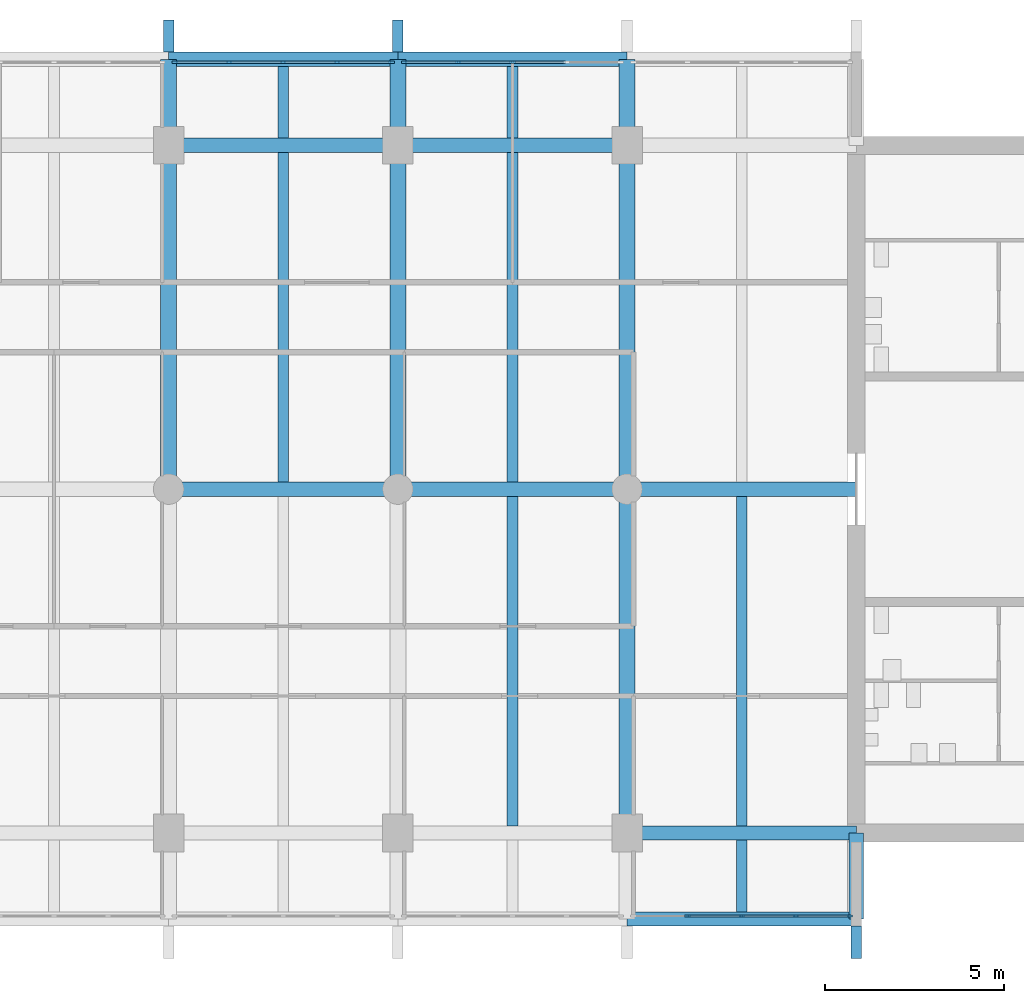
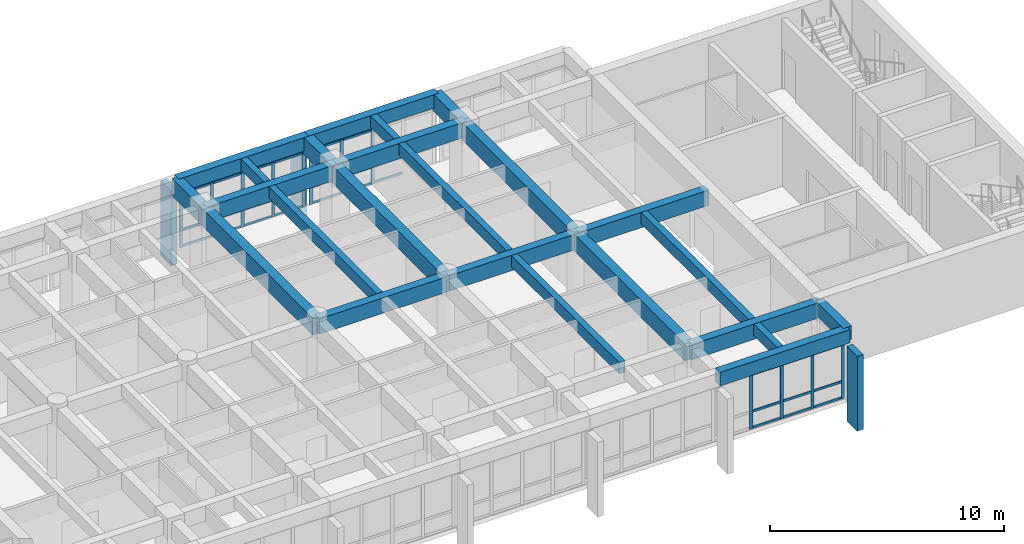
# One storey, part 5 of 15: 44 members, 24 beams, 3 elements without a shape of their own.
"""IFC4 building model written with IfcOpenShell, lengths in metres."""

from ifc_helpers import new_model, si_unit, direction, frame, origin, origin_2d, place, context, subcontext, project, spatial, rectangle, extrude, material, layer, layer_set, material_profile, profile_set, type_object, element, aggregate, save


model = new_model("IFC4")

# Units and contexts
model_context = context("Model", 3, precision=1e-05, world=origin(), true_north=direction((0.0, 1.0)))
body_context = subcontext(model_context, "Body", "Model", "MODEL_VIEW")
ifc_project = project(units=[si_unit("LENGTHUNIT", "METRE"), si_unit("AREAUNIT", "SQUARE_METRE"), si_unit("VOLUMEUNIT", "CUBIC_METRE"), si_unit("PLANEANGLEUNIT", "RADIAN"), si_unit("MASSUNIT", "GRAM", prefix="KILO")], contexts=[model_context])

# Site, building, storey
site_placement = place(None, origin())
site = spatial("IfcSite", under=ifc_project, at=site_placement, CompositionType="ELEMENT")
building_placement = place(site_placement, origin())
building = spatial("IfcBuilding", under=site, at=building_placement, Name="Fogon Plaza Fire Station and Headquarters Tower", CompositionType="ELEMENT")
storey_placement = place(building_placement, frame((0.0, 0.0, 52.199951171875)))
storey = spatial("IfcBuildingStorey", under=building, at=storey_placement, Name="L13", CompositionType="ELEMENT", Elevation=52.199951171875)

# Beams
ifc_material_1 = material(Name="Concrete C40", Category="concrete")
ifc_material_profile_1 = material_profile(ifc_material_1, rectangle(XDim=0.39990234375, YDim=0.699951171875, at=origin_2d()), Name="RC 400x700")
ifc_profile_set_1 = profile_set([ifc_material_profile_1], Name="Concrete C40")
beam_type_1 = type_object("IfcBeamType", Name="BEAM RC 400x700", PredefinedType="BEAM", material=ifc_profile_set_1)
for number, where, z_axis, x_axis, name in (
    (1, (57.60009765625, 31.199951171875, 3.330078125), (1.0, 0.0, 0.0), (0.0, 1.0, 0.0), "beam-L13-044"),
    (2, (44.800048828125, 55.199951171875, 3.330078125), (1.0, 0.0, 0.0), (0.0, 1.0, 0.0), "beam-L13-048"),
):
    element("IfcBeam", number, at=place(storey_placement, frame(where, z_axis=z_axis, x_axis=x_axis)), inside=storey, type_object=beam_type_1, Name=name, PredefinedType="BEAM", context=body_context, shape_type="SweptSolid", body=[
        extrude(rectangle(XDim=0.39990234375, YDim=0.699951171875, at=origin_2d()), origin(), (0.0, 0.0, 1.0), 6.39990234375),
    ])
beam_1_placement = place(storey_placement, frame((51.199951171875, 55.199951171875, 3.330078125), z_axis=(1.0, 0.0, 0.0), x_axis=(0.0, 1.0, 0.0)))
element("IfcBeam", 3, at=beam_1_placement, inside=storey, type_object=beam_type_1, Name="beam-L13-049", PredefinedType="BEAM", context=body_context, shape_type="SweptSolid", body=[
    extrude(rectangle(XDim=0.39990234375, YDim=0.699951171875, at=origin_2d()), origin(), (0.0, 0.0, 1.0), 6.400146484375),
])
ifc_material_2 = material(Name="Concrete C40", Category="concrete")
ifc_material_profile_2 = material_profile(ifc_material_2, rectangle(XDim=0.39990234375, YDim=0.699951171875, at=origin_2d()), Name="RC 400x700")
ifc_profile_set_2 = profile_set([ifc_material_profile_2], Name="Concrete C40")
beam_type_2 = type_object("IfcBeamType", Name="BEAM RC 400x700 SPAN 0.0 TO 3.0 M", PredefinedType="BEAM", material=ifc_profile_set_2)
beam_2_placement = place(storey_placement, frame((64.0, 31.199951171875, 3.330078125), z_axis=(0.0, 1.0, 0.0), x_axis=(-1.0, 0.0, 0.0)))
element("IfcBeam", 4, at=beam_2_placement, inside=storey, type_object=beam_type_2, Name="beam-L13-053", PredefinedType="BEAM", context=body_context, shape_type="SweptSolid", body=[
    extrude(rectangle(XDim=0.39990234375, YDim=0.699951171875, at=origin_2d()), origin(), (0.0, 0.0, 1.0), 2.400146484375),
])
ifc_material_3 = material(Name="Concrete C40", Category="concrete")
ifc_material_profile_3 = material_profile(ifc_material_3, rectangle(XDim=0.39990234375, YDim=0.800048828125, at=origin_2d()), Name="RC 400x800")
ifc_profile_set_3 = profile_set([ifc_material_profile_3], Name="Concrete C40")
beam_type_3 = type_object("IfcBeamType", Name="BEAM RC 400x800", PredefinedType="BEAM", material=ifc_profile_set_3)
for number, where, z_axis, x_axis, name in (
    (5, (57.60009765625, 33.60009765625, 3.280029296875), (1.0, 0.0, 0.0), (0.0, 1.0, 0.0), "beam-L13-026"),
    (6, (44.800048828125, 43.199951171875, 3.280029296875), (1.0, 0.0, 0.0), (0.0, 1.0, 0.0), "beam-L13-030"),
):
    element("IfcBeam", number, at=place(storey_placement, frame(where, z_axis=z_axis, x_axis=x_axis)), inside=storey, type_object=beam_type_3, Name=name, PredefinedType="BEAM", context=body_context, shape_type="SweptSolid", body=[
        extrude(rectangle(XDim=0.39990234375, YDim=0.800048828125, at=origin_2d()), origin(), (0.0, 0.0, 1.0), 6.39990234375),
    ])
beam_3_placement = place(storey_placement, frame((51.199951171875, 43.199951171875, 3.280029296875), z_axis=(1.0, 0.0, 0.0), x_axis=(0.0, 1.0, 0.0)))
element("IfcBeam", 7, at=beam_3_placement, inside=storey, type_object=beam_type_3, Name="beam-L13-031", PredefinedType="BEAM", context=body_context, shape_type="SweptSolid", body=[
    extrude(rectangle(XDim=0.39990234375, YDim=0.800048828125, at=origin_2d()), origin(), (0.0, 0.0, 1.0), 6.400146484375),
])
for number, where, z_axis, x_axis, name in (
    (8, (57.60009765625, 43.199951171875, 3.280029296875), (1.0, 0.0, 0.0), (0.0, 1.0, 0.0), "beam-L13-032"),
    (9, (44.800048828125, 52.800048828125, 3.280029296875), (1.0, 0.0, 0.0), (0.0, 1.0, 0.0), "beam-L13-036"),
):
    element("IfcBeam", number, at=place(storey_placement, frame(where, z_axis=z_axis, x_axis=x_axis)), inside=storey, type_object=beam_type_3, Name=name, PredefinedType="BEAM", context=body_context, shape_type="SweptSolid", body=[
        extrude(rectangle(XDim=0.39990234375, YDim=0.800048828125, at=origin_2d()), origin(), (0.0, 0.0, 1.0), 6.39990234375),
    ])
beam_4_placement = place(storey_placement, frame((51.199951171875, 52.800048828125, 3.280029296875), z_axis=(1.0, 0.0, 0.0), x_axis=(0.0, 1.0, 0.0)))
element("IfcBeam", 10, at=beam_4_placement, inside=storey, type_object=beam_type_3, Name="beam-L13-037", PredefinedType="BEAM", context=body_context, shape_type="SweptSolid", body=[
    extrude(rectangle(XDim=0.39990234375, YDim=0.800048828125, at=origin_2d()), origin(), (0.0, 0.0, 1.0), 6.400146484375),
])
ifc_material_4 = material(Name="Concrete C40", Category="concrete")
ifc_material_profile_4 = material_profile(ifc_material_4, rectangle(XDim=0.449951171875, YDim=0.89990234375, at=origin_2d()), Name="RC 450x900")
ifc_profile_set_4 = profile_set([ifc_material_profile_4], Name="Concrete C40")
beam_type_4 = type_object("IfcBeamType", Name="BEAM RC 450x900", PredefinedType="BEAM", material=ifc_profile_set_4)
for number, where, z_axis, x_axis, name in (
    (11, (44.800048828125, 43.199951171875, 3.22998046875), (0.0, 1.0, 0.0), (-1.0, 0.0, 0.0), "beam-L13-011"),
    (12, (51.199951171875, 43.199951171875, 3.22998046875), (0.0, 1.0, 0.0), (-1.0, 0.0, 0.0), "beam-L13-015"),
):
    element("IfcBeam", number, at=place(storey_placement, frame(where, z_axis=z_axis, x_axis=x_axis)), inside=storey, type_object=beam_type_4, Name=name, PredefinedType="BEAM", context=body_context, shape_type="SweptSolid", body=[
        extrude(rectangle(XDim=0.449951171875, YDim=0.89990234375, at=origin_2d()), origin(), (0.0, 0.0, 1.0), 9.60009765625),
    ])
beam_5_placement = place(storey_placement, frame((57.60009765625, 33.60009765625, 3.22998046875), z_axis=(0.0, 1.0, 0.0), x_axis=(-1.0, 0.0, 0.0)))
element("IfcBeam", 13, at=beam_5_placement, inside=storey, type_object=beam_type_4, Name="beam-L13-018", PredefinedType="BEAM", context=body_context, shape_type="SweptSolid", body=[
    extrude(rectangle(XDim=0.449951171875, YDim=0.89990234375, at=origin_2d()), origin(), (0.0, 0.0, 1.0), 9.599853515625),
])
beam_6_placement = place(storey_placement, frame((57.60009765625, 43.199951171875, 3.22998046875), z_axis=(0.0, 1.0, 0.0), x_axis=(-1.0, 0.0, 0.0)))
element("IfcBeam", 14, at=beam_6_placement, inside=storey, type_object=beam_type_4, Name="beam-L13-019", PredefinedType="BEAM", context=body_context, shape_type="SweptSolid", body=[
    extrude(rectangle(XDim=0.449951171875, YDim=0.89990234375, at=origin_2d()), origin(), (0.0, 0.0, 1.0), 9.60009765625),
])
ifc_material_5 = material(Name="Concrete C40", Category="concrete")
ifc_material_profile_5 = material_profile(ifc_material_5, rectangle(XDim=0.449951171875, YDim=0.89990234375, at=origin_2d()), Name="RC 450x900")
ifc_profile_set_5 = profile_set([ifc_material_profile_5], Name="Concrete C40")
beam_type_5 = type_object("IfcBeamType", Name="BEAM RC 450x900 SPAN 0.0 TO 3.0 M", PredefinedType="BEAM", material=ifc_profile_set_5)
for number, where, z_axis, x_axis, name in (
    (15, (44.800048828125, 52.800048828125, 3.22998046875), (0.0, 1.0, 0.0), (-1.0, 0.0, 0.0), "beam-L13-012"),
    (16, (51.199951171875, 52.800048828125, 3.22998046875), (0.0, 1.0, 0.0), (-1.0, 0.0, 0.0), "beam-L13-016"),
    (17, (57.60009765625, 52.800048828125, 3.22998046875), (0.0, 1.0, 0.0), (-1.0, 0.0, 0.0), "beam-L13-020"),
):
    element("IfcBeam", number, at=place(storey_placement, frame(where, z_axis=z_axis, x_axis=x_axis)), inside=storey, type_object=beam_type_5, Name=name, PredefinedType="BEAM", context=body_context, shape_type="SweptSolid", body=[
        extrude(rectangle(XDim=0.449951171875, YDim=0.89990234375, at=origin_2d()), origin(), (0.0, 0.0, 1.0), 2.39990234375),
    ])

# Curtain wall, members
ifc_material_6 = material(Name="Aluminium and glass", Category="aluminium")
ifc_layer = layer(ifc_material_6, 0.14990234375)
ifc_layer_set = layer_set([ifc_layer], Name="Aluminium and glass")
curtain_wall_type = type_object("IfcCurtainWallType", Name="Unitised Curtain Wall Run 6100x2880", PredefinedType="NOTDEFINED", material=ifc_layer_set)
curtain_wall_1_placement = place(storey_placement, origin())
curtain_wall_1 = element("IfcCurtainWall", 18, at=curtain_wall_1_placement, inside=storey, type_object=curtain_wall_type, Name="CW-6100x2880 S6 L13", PredefinedType="NOTDEFINED")
ifc_material_7 = material(Name="Aluminium", Category="aluminium")
ifc_material_profile_6 = material_profile(ifc_material_7, rectangle(XDim=0.06005859375, YDim=0.159912109375, at=origin_2d()), Name="Curtain Wall Mullion 60x160")
ifc_profile_set_6 = profile_set([ifc_material_profile_6], Name="Aluminium")
member_type_1 = type_object("IfcMemberType", Name="Curtain Wall Mullion 60x160", PredefinedType="MULLION", material=ifc_profile_set_6)
member_1_placement = place(storey_placement, frame((59.2900390625, 31.280029296875, 0.0), z_axis=(0.0, 0.0, 1.0), x_axis=(0.0, 1.0, 0.0)))
member_1 = element("IfcMember", 19, at=member_1_placement, type_object=member_type_1, Name="CW-6100x2880 mullion 2", PredefinedType="MULLION", context=body_context, shape_type="SweptSolid", body=[
    extrude(rectangle(XDim=0.06005859375, YDim=0.159912109375, at=origin_2d()), origin(), (0.0, 0.0, 1.0), 2.880126953125),
])
member_2_placement = place(storey_placement, frame((60.800048828125, 31.280029296875, 0.0), z_axis=(0.0, 0.0, 1.0), x_axis=(0.0, 1.0, 0.0)))
member_2 = element("IfcMember", 20, at=member_2_placement, type_object=member_type_1, Name="CW-6100x2880 mullion 3", PredefinedType="MULLION", context=body_context, shape_type="SweptSolid", body=[
    extrude(rectangle(XDim=0.06005859375, YDim=0.159912109375, at=origin_2d()), origin(), (0.0, 0.0, 1.0), 2.880126953125),
])
member_3_placement = place(storey_placement, frame((62.31005859375, 31.280029296875, 0.0), z_axis=(0.0, 0.0, 1.0), x_axis=(0.0, 1.0, 0.0)))
member_3 = element("IfcMember", 21, at=member_3_placement, type_object=member_type_1, Name="CW-6100x2880 mullion 4", PredefinedType="MULLION", context=body_context, shape_type="SweptSolid", body=[
    extrude(rectangle(XDim=0.06005859375, YDim=0.159912109375, at=origin_2d()), origin(), (0.0, 0.0, 1.0), 2.880126953125),
])
member_4_placement = place(storey_placement, frame((63.820068359375, 31.280029296875, 0.0), z_axis=(0.0, 0.0, 1.0), x_axis=(0.0, 1.0, 0.0)))
member_4 = element("IfcMember", 22, at=member_4_placement, type_object=member_type_1, Name="CW-6100x2880 mullion 5", PredefinedType="MULLION", context=body_context, shape_type="SweptSolid", body=[
    extrude(rectangle(XDim=0.06005859375, YDim=0.159912109375, at=origin_2d()), origin(), (0.0, 0.0, 1.0), 2.880126953125),
])

curtain_wall_2_placement = place(storey_placement, origin())
curtain_wall_2 = element("IfcCurtainWall", 23, at=curtain_wall_2_placement, inside=storey, type_object=curtain_wall_type, Name="CW-6100x2880 N4 L13", PredefinedType="NOTDEFINED")
member_5_placement = place(storey_placement, frame((44.97998046875, 55.1201171875, 0.0), z_axis=(0.0, 0.0, 1.0), x_axis=(0.0, 1.0, 0.0)))
member_5 = element("IfcMember", 24, at=member_5_placement, type_object=member_type_1, Name="CW-6100x2880 mullion 1", PredefinedType="MULLION", context=body_context, shape_type="SweptSolid", body=[
    extrude(rectangle(XDim=0.06005859375, YDim=0.159912109375, at=origin_2d()), origin(), (0.0, 0.0, 1.0), 2.880126953125),
])
member_6_placement = place(storey_placement, frame((46.489990234375, 55.1201171875, 0.0), z_axis=(0.0, 0.0, 1.0), x_axis=(0.0, 1.0, 0.0)))
member_6 = element("IfcMember", 25, at=member_6_placement, type_object=member_type_1, Name="CW-6100x2880 mullion 2", PredefinedType="MULLION", context=body_context, shape_type="SweptSolid", body=[
    extrude(rectangle(XDim=0.06005859375, YDim=0.159912109375, at=origin_2d()), origin(), (0.0, 0.0, 1.0), 2.880126953125),
])
member_7_placement = place(storey_placement, frame((48.0, 55.1201171875, 0.0), z_axis=(0.0, 0.0, 1.0), x_axis=(0.0, 1.0, 0.0)))
member_7 = element("IfcMember", 26, at=member_7_placement, type_object=member_type_1, Name="CW-6100x2880 mullion 3", PredefinedType="MULLION", context=body_context, shape_type="SweptSolid", body=[
    extrude(rectangle(XDim=0.06005859375, YDim=0.159912109375, at=origin_2d()), origin(), (0.0, 0.0, 1.0), 2.880126953125),
])
member_8_placement = place(storey_placement, frame((49.510009765625, 55.1201171875, 0.0), z_axis=(0.0, 0.0, 1.0), x_axis=(0.0, 1.0, 0.0)))
member_8 = element("IfcMember", 27, at=member_8_placement, type_object=member_type_1, Name="CW-6100x2880 mullion 4", PredefinedType="MULLION", context=body_context, shape_type="SweptSolid", body=[
    extrude(rectangle(XDim=0.06005859375, YDim=0.159912109375, at=origin_2d()), origin(), (0.0, 0.0, 1.0), 2.880126953125),
])
member_9_placement = place(storey_placement, frame((51.02001953125, 55.1201171875, 0.0), z_axis=(0.0, 0.0, 1.0), x_axis=(0.0, 1.0, 0.0)))
member_9 = element("IfcMember", 28, at=member_9_placement, type_object=member_type_1, Name="CW-6100x2880 mullion 5", PredefinedType="MULLION", context=body_context, shape_type="SweptSolid", body=[
    extrude(rectangle(XDim=0.06005859375, YDim=0.159912109375, at=origin_2d()), origin(), (0.0, 0.0, 1.0), 2.880126953125),
])

curtain_wall_3_placement = place(storey_placement, origin())
curtain_wall_3 = element("IfcCurtainWall", 29, at=curtain_wall_3_placement, inside=storey, type_object=curtain_wall_type, Name="CW-6100x2880 N5 L13", PredefinedType="NOTDEFINED")
member_10_placement = place(storey_placement, frame((51.3798828125, 55.1201171875, 0.0), z_axis=(0.0, 0.0, 1.0), x_axis=(0.0, 1.0, 0.0)))
member_10 = element("IfcMember", 30, at=member_10_placement, type_object=member_type_1, Name="CW-6100x2880 mullion 1", PredefinedType="MULLION", context=body_context, shape_type="SweptSolid", body=[
    extrude(rectangle(XDim=0.06005859375, YDim=0.159912109375, at=origin_2d()), origin(), (0.0, 0.0, 1.0), 2.880126953125),
])
member_11_placement = place(storey_placement, frame((52.889892578125, 55.1201171875, 0.0), z_axis=(0.0, 0.0, 1.0), x_axis=(0.0, 1.0, 0.0)))
member_11 = element("IfcMember", 31, at=member_11_placement, type_object=member_type_1, Name="CW-6100x2880 mullion 2", PredefinedType="MULLION", context=body_context, shape_type="SweptSolid", body=[
    extrude(rectangle(XDim=0.06005859375, YDim=0.159912109375, at=origin_2d()), origin(), (0.0, 0.0, 1.0), 2.880126953125),
])
member_12_placement = place(storey_placement, frame((54.39990234375, 55.1201171875, 0.0), z_axis=(0.0, 0.0, 1.0), x_axis=(0.0, 1.0, 0.0)))
member_12 = element("IfcMember", 32, at=member_12_placement, type_object=member_type_1, Name="CW-6100x2880 mullion 3", PredefinedType="MULLION", context=body_context, shape_type="SweptSolid", body=[
    extrude(rectangle(XDim=0.06005859375, YDim=0.159912109375, at=origin_2d()), origin(), (0.0, 0.0, 1.0), 2.880126953125),
])

# Member
ifc_material_8 = material(Name="Aluminium", Category="aluminium")
ifc_material_profile_7 = material_profile(ifc_material_8, rectangle(XDim=0.06005859375, YDim=0.1201171875, at=origin_2d()), Name="Curtain Wall Transom 60x120")
ifc_profile_set_7 = profile_set([ifc_material_profile_7], Name="Aluminium")
member_type_2 = type_object("IfcMemberType", Name="Curtain Wall Transom 60x120", PredefinedType="USERDEFINED", material=ifc_profile_set_7)
member_13_placement = place(storey_placement, frame((59.320068359375, 31.280029296875, 0.06005859375), z_axis=(1.0, 0.0, 0.0), x_axis=(0.0, 1.0, 0.0)))
member_13 = element("IfcMember", 33, at=member_13_placement, type_object=member_type_2, Name="CW-6100x2880 transom 2.1", ObjectType="TRANSOM", PredefinedType="USERDEFINED", context=body_context, shape_type="SweptSolid", body=[
    extrude(rectangle(XDim=0.06005859375, YDim=0.1201171875, at=origin_2d()), origin(), (0.0, 0.0, 1.0), 1.449951171875),
])

member_14_placement = place(storey_placement, frame((59.320068359375, 31.280029296875, 0.900146484375), z_axis=(1.0, 0.0, 0.0), x_axis=(0.0, 1.0, 0.0)))
member_14 = element("IfcMember", 34, at=member_14_placement, type_object=member_type_2, Name="CW-6100x2880 transom 2.2", ObjectType="TRANSOM", PredefinedType="USERDEFINED", context=body_context, shape_type="SweptSolid", body=[
    extrude(rectangle(XDim=0.06005859375, YDim=0.1201171875, at=origin_2d()), origin(), (0.0, 0.0, 1.0), 1.449951171875),
])

member_15_placement = place(storey_placement, frame((59.320068359375, 31.280029296875, 2.820068359375), z_axis=(1.0, 0.0, 0.0), x_axis=(0.0, 1.0, 0.0)))
member_15 = element("IfcMember", 35, at=member_15_placement, type_object=member_type_2, Name="CW-6100x2880 transom 2.3", ObjectType="TRANSOM", PredefinedType="USERDEFINED", context=body_context, shape_type="SweptSolid", body=[
    extrude(rectangle(XDim=0.06005859375, YDim=0.1201171875, at=origin_2d()), origin(), (0.0, 0.0, 1.0), 1.449951171875),
])

member_16_placement = place(storey_placement, frame((60.830078125, 31.280029296875, 0.06005859375), z_axis=(1.0, 0.0, 0.0), x_axis=(0.0, 1.0, 0.0)))
member_16 = element("IfcMember", 36, at=member_16_placement, type_object=member_type_2, Name="CW-6100x2880 transom 3.1", ObjectType="TRANSOM", PredefinedType="USERDEFINED", context=body_context, shape_type="SweptSolid", body=[
    extrude(rectangle(XDim=0.06005859375, YDim=0.1201171875, at=origin_2d()), origin(), (0.0, 0.0, 1.0), 1.449951171875),
])

member_17_placement = place(storey_placement, frame((60.830078125, 31.280029296875, 0.900146484375), z_axis=(1.0, 0.0, 0.0), x_axis=(0.0, 1.0, 0.0)))
member_17 = element("IfcMember", 37, at=member_17_placement, type_object=member_type_2, Name="CW-6100x2880 transom 3.2", ObjectType="TRANSOM", PredefinedType="USERDEFINED", context=body_context, shape_type="SweptSolid", body=[
    extrude(rectangle(XDim=0.06005859375, YDim=0.1201171875, at=origin_2d()), origin(), (0.0, 0.0, 1.0), 1.449951171875),
])

member_18_placement = place(storey_placement, frame((60.830078125, 31.280029296875, 2.820068359375), z_axis=(1.0, 0.0, 0.0), x_axis=(0.0, 1.0, 0.0)))
member_18 = element("IfcMember", 38, at=member_18_placement, type_object=member_type_2, Name="CW-6100x2880 transom 3.3", ObjectType="TRANSOM", PredefinedType="USERDEFINED", context=body_context, shape_type="SweptSolid", body=[
    extrude(rectangle(XDim=0.06005859375, YDim=0.1201171875, at=origin_2d()), origin(), (0.0, 0.0, 1.0), 1.449951171875),
])

member_19_placement = place(storey_placement, frame((62.340087890625, 31.280029296875, 0.06005859375), z_axis=(1.0, 0.0, 0.0), x_axis=(0.0, 1.0, 0.0)))
member_19 = element("IfcMember", 39, at=member_19_placement, type_object=member_type_2, Name="CW-6100x2880 transom 4.1", ObjectType="TRANSOM", PredefinedType="USERDEFINED", context=body_context, shape_type="SweptSolid", body=[
    extrude(rectangle(XDim=0.06005859375, YDim=0.1201171875, at=origin_2d()), origin(), (0.0, 0.0, 1.0), 1.449951171875),
])

member_20_placement = place(storey_placement, frame((62.340087890625, 31.280029296875, 0.900146484375), z_axis=(1.0, 0.0, 0.0), x_axis=(0.0, 1.0, 0.0)))
member_20 = element("IfcMember", 40, at=member_20_placement, type_object=member_type_2, Name="CW-6100x2880 transom 4.2", ObjectType="TRANSOM", PredefinedType="USERDEFINED", context=body_context, shape_type="SweptSolid", body=[
    extrude(rectangle(XDim=0.06005859375, YDim=0.1201171875, at=origin_2d()), origin(), (0.0, 0.0, 1.0), 1.449951171875),
])

member_21_placement = place(storey_placement, frame((62.340087890625, 31.280029296875, 2.820068359375), z_axis=(1.0, 0.0, 0.0), x_axis=(0.0, 1.0, 0.0)))
member_21 = element("IfcMember", 41, at=member_21_placement, type_object=member_type_2, Name="CW-6100x2880 transom 4.3", ObjectType="TRANSOM", PredefinedType="USERDEFINED", context=body_context, shape_type="SweptSolid", body=[
    extrude(rectangle(XDim=0.06005859375, YDim=0.1201171875, at=origin_2d()), origin(), (0.0, 0.0, 1.0), 1.449951171875),
])

aggregate(curtain_wall_1, [member_1, member_2, member_3, member_4, member_13, member_14, member_15, member_16, member_17, member_18, member_19, member_20, member_21])

member_22_placement = place(storey_placement, frame((45.010009765625, 55.1201171875, 0.06005859375), z_axis=(1.0, 0.0, 0.0), x_axis=(0.0, 1.0, 0.0)))
member_22 = element("IfcMember", 42, at=member_22_placement, type_object=member_type_2, Name="CW-6100x2880 transom 1.1", ObjectType="TRANSOM", PredefinedType="USERDEFINED", context=body_context, shape_type="SweptSolid", body=[
    extrude(rectangle(XDim=0.06005859375, YDim=0.1201171875, at=origin_2d()), origin(), (0.0, 0.0, 1.0), 1.449951171875),
])

member_23_placement = place(storey_placement, frame((45.010009765625, 55.1201171875, 0.900146484375), z_axis=(1.0, 0.0, 0.0), x_axis=(0.0, 1.0, 0.0)))
member_23 = element("IfcMember", 43, at=member_23_placement, type_object=member_type_2, Name="CW-6100x2880 transom 1.2", ObjectType="TRANSOM", PredefinedType="USERDEFINED", context=body_context, shape_type="SweptSolid", body=[
    extrude(rectangle(XDim=0.06005859375, YDim=0.1201171875, at=origin_2d()), origin(), (0.0, 0.0, 1.0), 1.449951171875),
])

member_24_placement = place(storey_placement, frame((45.010009765625, 55.1201171875, 2.820068359375), z_axis=(1.0, 0.0, 0.0), x_axis=(0.0, 1.0, 0.0)))
member_24 = element("IfcMember", 44, at=member_24_placement, type_object=member_type_2, Name="CW-6100x2880 transom 1.3", ObjectType="TRANSOM", PredefinedType="USERDEFINED", context=body_context, shape_type="SweptSolid", body=[
    extrude(rectangle(XDim=0.06005859375, YDim=0.1201171875, at=origin_2d()), origin(), (0.0, 0.0, 1.0), 1.449951171875),
])

member_25_placement = place(storey_placement, frame((46.52001953125, 55.1201171875, 0.06005859375), z_axis=(1.0, 0.0, 0.0), x_axis=(0.0, 1.0, 0.0)))
member_25 = element("IfcMember", 45, at=member_25_placement, type_object=member_type_2, Name="CW-6100x2880 transom 2.1", ObjectType="TRANSOM", PredefinedType="USERDEFINED", context=body_context, shape_type="SweptSolid", body=[
    extrude(rectangle(XDim=0.06005859375, YDim=0.1201171875, at=origin_2d()), origin(), (0.0, 0.0, 1.0), 1.449951171875),
])

member_26_placement = place(storey_placement, frame((46.52001953125, 55.1201171875, 0.900146484375), z_axis=(1.0, 0.0, 0.0), x_axis=(0.0, 1.0, 0.0)))
member_26 = element("IfcMember", 46, at=member_26_placement, type_object=member_type_2, Name="CW-6100x2880 transom 2.2", ObjectType="TRANSOM", PredefinedType="USERDEFINED", context=body_context, shape_type="SweptSolid", body=[
    extrude(rectangle(XDim=0.06005859375, YDim=0.1201171875, at=origin_2d()), origin(), (0.0, 0.0, 1.0), 1.449951171875),
])

member_27_placement = place(storey_placement, frame((46.52001953125, 55.1201171875, 2.820068359375), z_axis=(1.0, 0.0, 0.0), x_axis=(0.0, 1.0, 0.0)))
member_27 = element("IfcMember", 47, at=member_27_placement, type_object=member_type_2, Name="CW-6100x2880 transom 2.3", ObjectType="TRANSOM", PredefinedType="USERDEFINED", context=body_context, shape_type="SweptSolid", body=[
    extrude(rectangle(XDim=0.06005859375, YDim=0.1201171875, at=origin_2d()), origin(), (0.0, 0.0, 1.0), 1.449951171875),
])

member_28_placement = place(storey_placement, frame((48.030029296875, 55.1201171875, 0.06005859375), z_axis=(1.0, 0.0, 0.0), x_axis=(0.0, 1.0, 0.0)))
member_28 = element("IfcMember", 48, at=member_28_placement, type_object=member_type_2, Name="CW-6100x2880 transom 3.1", ObjectType="TRANSOM", PredefinedType="USERDEFINED", context=body_context, shape_type="SweptSolid", body=[
    extrude(rectangle(XDim=0.06005859375, YDim=0.1201171875, at=origin_2d()), origin(), (0.0, 0.0, 1.0), 1.449951171875),
])

member_29_placement = place(storey_placement, frame((48.030029296875, 55.1201171875, 0.900146484375), z_axis=(1.0, 0.0, 0.0), x_axis=(0.0, 1.0, 0.0)))
member_29 = element("IfcMember", 49, at=member_29_placement, type_object=member_type_2, Name="CW-6100x2880 transom 3.2", ObjectType="TRANSOM", PredefinedType="USERDEFINED", context=body_context, shape_type="SweptSolid", body=[
    extrude(rectangle(XDim=0.06005859375, YDim=0.1201171875, at=origin_2d()), origin(), (0.0, 0.0, 1.0), 1.449951171875),
])

member_30_placement = place(storey_placement, frame((48.030029296875, 55.1201171875, 2.820068359375), z_axis=(1.0, 0.0, 0.0), x_axis=(0.0, 1.0, 0.0)))
member_30 = element("IfcMember", 50, at=member_30_placement, type_object=member_type_2, Name="CW-6100x2880 transom 3.3", ObjectType="TRANSOM", PredefinedType="USERDEFINED", context=body_context, shape_type="SweptSolid", body=[
    extrude(rectangle(XDim=0.06005859375, YDim=0.1201171875, at=origin_2d()), origin(), (0.0, 0.0, 1.0), 1.449951171875),
])

member_31_placement = place(storey_placement, frame((49.5400390625, 55.1201171875, 0.06005859375), z_axis=(1.0, 0.0, 0.0), x_axis=(0.0, 1.0, 0.0)))
member_31 = element("IfcMember", 51, at=member_31_placement, type_object=member_type_2, Name="CW-6100x2880 transom 4.1", ObjectType="TRANSOM", PredefinedType="USERDEFINED", context=body_context, shape_type="SweptSolid", body=[
    extrude(rectangle(XDim=0.06005859375, YDim=0.1201171875, at=origin_2d()), origin(), (0.0, 0.0, 1.0), 1.449951171875),
])

member_32_placement = place(storey_placement, frame((49.5400390625, 55.1201171875, 0.900146484375), z_axis=(1.0, 0.0, 0.0), x_axis=(0.0, 1.0, 0.0)))
member_32 = element("IfcMember", 52, at=member_32_placement, type_object=member_type_2, Name="CW-6100x2880 transom 4.2", ObjectType="TRANSOM", PredefinedType="USERDEFINED", context=body_context, shape_type="SweptSolid", body=[
    extrude(rectangle(XDim=0.06005859375, YDim=0.1201171875, at=origin_2d()), origin(), (0.0, 0.0, 1.0), 1.449951171875),
])

member_33_placement = place(storey_placement, frame((49.5400390625, 55.1201171875, 2.820068359375), z_axis=(1.0, 0.0, 0.0), x_axis=(0.0, 1.0, 0.0)))
member_33 = element("IfcMember", 53, at=member_33_placement, type_object=member_type_2, Name="CW-6100x2880 transom 4.3", ObjectType="TRANSOM", PredefinedType="USERDEFINED", context=body_context, shape_type="SweptSolid", body=[
    extrude(rectangle(XDim=0.06005859375, YDim=0.1201171875, at=origin_2d()), origin(), (0.0, 0.0, 1.0), 1.449951171875),
])

aggregate(curtain_wall_2, [member_5, member_6, member_7, member_8, member_9, member_22, member_23, member_24, member_25, member_26, member_27, member_28, member_29, member_30, member_31, member_32, member_33])

member_34_placement = place(storey_placement, frame((51.409912109375, 55.1201171875, 0.06005859375), z_axis=(1.0, 0.0, 0.0), x_axis=(0.0, 1.0, 0.0)))
member_34 = element("IfcMember", 54, at=member_34_placement, type_object=member_type_2, Name="CW-6100x2880 transom 1.1", ObjectType="TRANSOM", PredefinedType="USERDEFINED", context=body_context, shape_type="SweptSolid", body=[
    extrude(rectangle(XDim=0.06005859375, YDim=0.1201171875, at=origin_2d()), origin(), (0.0, 0.0, 1.0), 1.4501953125),
])

member_35_placement = place(storey_placement, frame((51.409912109375, 55.1201171875, 0.900146484375), z_axis=(1.0, 0.0, 0.0), x_axis=(0.0, 1.0, 0.0)))
member_35 = element("IfcMember", 55, at=member_35_placement, type_object=member_type_2, Name="CW-6100x2880 transom 1.2", ObjectType="TRANSOM", PredefinedType="USERDEFINED", context=body_context, shape_type="SweptSolid", body=[
    extrude(rectangle(XDim=0.06005859375, YDim=0.1201171875, at=origin_2d()), origin(), (0.0, 0.0, 1.0), 1.4501953125),
])

member_36_placement = place(storey_placement, frame((51.409912109375, 55.1201171875, 2.820068359375), z_axis=(1.0, 0.0, 0.0), x_axis=(0.0, 1.0, 0.0)))
member_36 = element("IfcMember", 56, at=member_36_placement, type_object=member_type_2, Name="CW-6100x2880 transom 1.3", ObjectType="TRANSOM", PredefinedType="USERDEFINED", context=body_context, shape_type="SweptSolid", body=[
    extrude(rectangle(XDim=0.06005859375, YDim=0.1201171875, at=origin_2d()), origin(), (0.0, 0.0, 1.0), 1.4501953125),
])

member_37_placement = place(storey_placement, frame((52.919921875, 55.1201171875, 0.06005859375), z_axis=(1.0, 0.0, 0.0), x_axis=(0.0, 1.0, 0.0)))
member_37 = element("IfcMember", 57, at=member_37_placement, type_object=member_type_2, Name="CW-6100x2880 transom 2.1", ObjectType="TRANSOM", PredefinedType="USERDEFINED", context=body_context, shape_type="SweptSolid", body=[
    extrude(rectangle(XDim=0.06005859375, YDim=0.1201171875, at=origin_2d()), origin(), (0.0, 0.0, 1.0), 1.4501953125),
])

member_38_placement = place(storey_placement, frame((52.919921875, 55.1201171875, 0.900146484375), z_axis=(1.0, 0.0, 0.0), x_axis=(0.0, 1.0, 0.0)))
member_38 = element("IfcMember", 58, at=member_38_placement, type_object=member_type_2, Name="CW-6100x2880 transom 2.2", ObjectType="TRANSOM", PredefinedType="USERDEFINED", context=body_context, shape_type="SweptSolid", body=[
    extrude(rectangle(XDim=0.06005859375, YDim=0.1201171875, at=origin_2d()), origin(), (0.0, 0.0, 1.0), 1.4501953125),
])

member_39_placement = place(storey_placement, frame((52.919921875, 55.1201171875, 2.820068359375), z_axis=(1.0, 0.0, 0.0), x_axis=(0.0, 1.0, 0.0)))
member_39 = element("IfcMember", 59, at=member_39_placement, type_object=member_type_2, Name="CW-6100x2880 transom 2.3", ObjectType="TRANSOM", PredefinedType="USERDEFINED", context=body_context, shape_type="SweptSolid", body=[
    extrude(rectangle(XDim=0.06005859375, YDim=0.1201171875, at=origin_2d()), origin(), (0.0, 0.0, 1.0), 1.4501953125),
])

member_40_placement = place(storey_placement, frame((54.429931640625, 55.1201171875, 0.06005859375), z_axis=(1.0, 0.0, 0.0), x_axis=(0.0, 1.0, 0.0)))
member_40 = element("IfcMember", 60, at=member_40_placement, type_object=member_type_2, Name="CW-6100x2880 transom 3.1", ObjectType="TRANSOM", PredefinedType="USERDEFINED", context=body_context, shape_type="SweptSolid", body=[
    extrude(rectangle(XDim=0.06005859375, YDim=0.1201171875, at=origin_2d()), origin(), (0.0, 0.0, 1.0), 1.449951171875),
])

member_41_placement = place(storey_placement, frame((54.429931640625, 55.1201171875, 0.900146484375), z_axis=(1.0, 0.0, 0.0), x_axis=(0.0, 1.0, 0.0)))
member_41 = element("IfcMember", 61, at=member_41_placement, type_object=member_type_2, Name="CW-6100x2880 transom 3.2", ObjectType="TRANSOM", PredefinedType="USERDEFINED", context=body_context, shape_type="SweptSolid", body=[
    extrude(rectangle(XDim=0.06005859375, YDim=0.1201171875, at=origin_2d()), origin(), (0.0, 0.0, 1.0), 1.449951171875),
])

aggregate(curtain_wall_3, [member_10, member_11, member_12, member_34, member_35, member_36, member_37, member_38, member_39, member_40, member_41])

# Beams
ifc_material_9 = material(Name="Concrete C40", Category="concrete")
ifc_material_profile_8 = material_profile(ifc_material_9, rectangle(XDim=0.300048828125, YDim=0.60009765625, at=origin_2d()), Name="RC 300x600")
ifc_profile_set_8 = profile_set([ifc_material_profile_8], Name="Concrete C40")
beam_type_6 = type_object("IfcBeamType", Name="JOIST RC 300x600", PredefinedType="JOIST", material=ifc_profile_set_8)
beam_7_placement = place(storey_placement, frame((48.0, 43.39990234375, 3.380126953125), z_axis=(0.0, 1.0, 0.0), x_axis=(-1.0, 0.0, 0.0)))
element("IfcBeam", 62, at=beam_7_placement, inside=storey, type_object=beam_type_6, Name="beam-L13-069", PredefinedType="JOIST", context=body_context, shape_type="SweptSolid", body=[
    extrude(rectangle(XDim=0.300048828125, YDim=0.60009765625, at=origin_2d()), origin(), (0.0, 0.0, 1.0), 9.2001953125),
])
beam_8_placement = place(storey_placement, frame((54.39990234375, 33.800048828125, 3.380126953125), z_axis=(0.0, 1.0, 0.0), x_axis=(-1.0, 0.0, 0.0)))
element("IfcBeam", 63, at=beam_8_placement, inside=storey, type_object=beam_type_6, Name="beam-L13-072", PredefinedType="JOIST", context=body_context, shape_type="SweptSolid", body=[
    extrude(rectangle(XDim=0.300048828125, YDim=0.60009765625, at=origin_2d()), origin(), (0.0, 0.0, 1.0), 9.199951171875),
])
beam_9_placement = place(storey_placement, frame((54.39990234375, 43.39990234375, 3.380126953125), z_axis=(0.0, 1.0, 0.0), x_axis=(-1.0, 0.0, 0.0)))
element("IfcBeam", 64, at=beam_9_placement, inside=storey, type_object=beam_type_6, Name="beam-L13-073", PredefinedType="JOIST", context=body_context, shape_type="SweptSolid", body=[
    extrude(rectangle(XDim=0.300048828125, YDim=0.60009765625, at=origin_2d()), origin(), (0.0, 0.0, 1.0), 9.2001953125),
])
beam_10_placement = place(storey_placement, frame((60.800048828125, 33.800048828125, 3.380126953125), z_axis=(0.0, 1.0, 0.0), x_axis=(-1.0, 0.0, 0.0)))
element("IfcBeam", 65, at=beam_10_placement, inside=storey, type_object=beam_type_6, Name="beam-L13-076", PredefinedType="JOIST", context=body_context, shape_type="SweptSolid", body=[
    extrude(rectangle(XDim=0.300048828125, YDim=0.60009765625, at=origin_2d()), origin(), (0.0, 0.0, 1.0), 9.199951171875),
])
ifc_material_10 = material(Name="Concrete C40", Category="concrete")
ifc_material_profile_9 = material_profile(ifc_material_10, rectangle(XDim=0.300048828125, YDim=0.60009765625, at=origin_2d()), Name="RC 300x600")
ifc_profile_set_9 = profile_set([ifc_material_profile_9], Name="Concrete C40")
beam_type_7 = type_object("IfcBeamType", Name="JOIST RC 300x600 SPAN 0.0 TO 3.0 M", PredefinedType="JOIST", material=ifc_profile_set_9)
for number, where, z_axis, x_axis, name in (
    (66, (48.0, 53.0, 3.380126953125), (0.0, 1.0, 0.0), (-1.0, 0.0, 0.0), "beam-L13-070"),
    (67, (54.39990234375, 53.0, 3.380126953125), (0.0, 1.0, 0.0), (-1.0, 0.0, 0.0), "beam-L13-074"),
    (68, (60.800048828125, 31.39990234375, 3.380126953125), (0.0, 1.0, 0.0), (-1.0, 0.0, 0.0), "beam-L13-075"),
):
    element("IfcBeam", number, at=place(storey_placement, frame(where, z_axis=z_axis, x_axis=x_axis)), inside=storey, type_object=beam_type_7, Name=name, PredefinedType="JOIST", context=body_context, shape_type="SweptSolid", body=[
        extrude(rectangle(XDim=0.300048828125, YDim=0.60009765625, at=origin_2d()), origin(), (0.0, 0.0, 1.0), 2.0),
    ])

# Members
ifc_material_11 = material(Name="Concrete C40 precast", Category="concrete")
ifc_material_profile_10 = material_profile(ifc_material_11, rectangle(XDim=0.300048828125, YDim=0.89990234375, at=origin_2d()), Name="Precast Concrete Post 300x900")
ifc_profile_set_10 = profile_set([ifc_material_profile_10], Name="Concrete C40 precast")
member_type_3 = type_object("IfcMemberType", Name="Precast Concrete Post 300x900", PredefinedType="POST", material=ifc_profile_set_10)
for number, where, z_axis, x_axis, name in (
    (69, (64.0, 30.550048828125, -1.02001953125), (0.0, 0.0, 1.0), (1.0, 0.0, 0.0), "Precast Post S L13"),
    (70, (44.800048828125, 55.85009765625, -1.02001953125), (0.0, 0.0, 1.0), (1.0, 0.0, 0.0), "Precast Post N L13"),
    (71, (51.199951171875, 55.85009765625, -1.02001953125), (0.0, 0.0, 1.0), (1.0, 0.0, 0.0), "Precast Post N L13"),
):
    element("IfcMember", number, at=place(storey_placement, frame(where, z_axis=z_axis, x_axis=x_axis)), inside=storey, type_object=member_type_3, Name=name, PredefinedType="POST", context=body_context, shape_type="SweptSolid", body=[
        extrude(rectangle(XDim=0.300048828125, YDim=0.89990234375, at=origin_2d()), origin(), (0.0, 0.0, 1.0), 3.900146484375),
    ])

save(model, "model.ifc")
